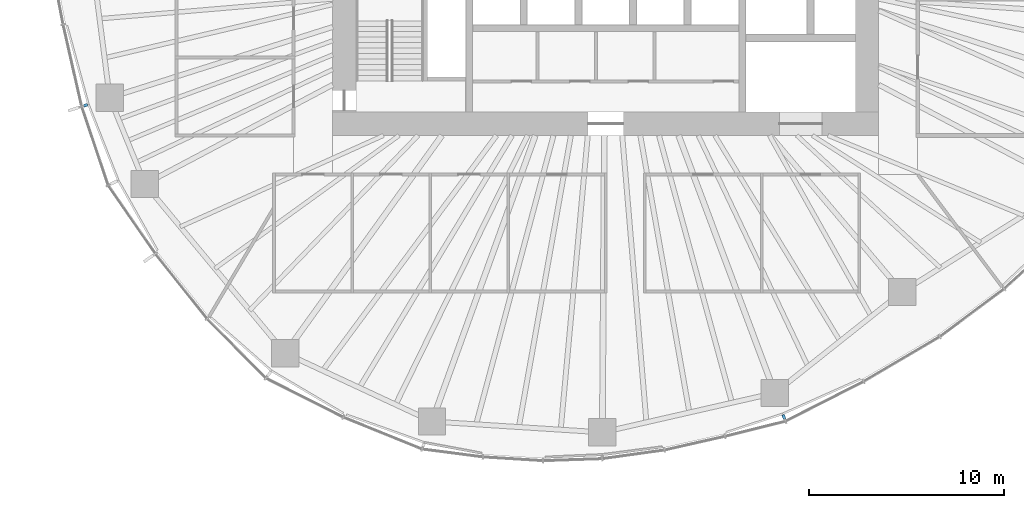
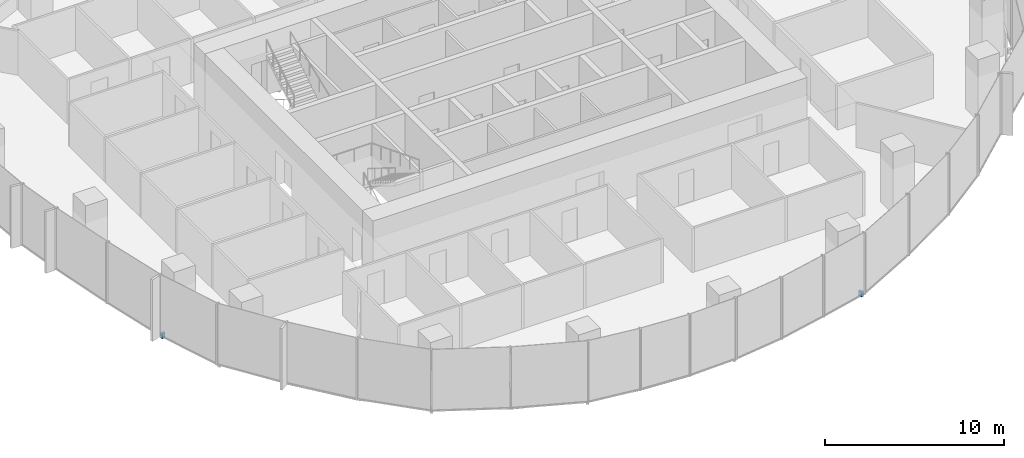
# One storey, part 13 of 18: 2 discrete accessories.
"""IFC4 building model written with IfcOpenShell, lengths in metres."""

from ifc_helpers import new_model, si_unit, direction, frame, origin, origin_2d, place, context, subcontext, project, spatial, rectangle, extrude, material, type_object, element, save


model = new_model("IFC4")

# Units and contexts
model_context = context("Model", 3, precision=1e-05, world=origin(), true_north=direction((0.0, 1.0)))
body_context = subcontext(model_context, "Body", "Model", "MODEL_VIEW")
ifc_project = project(units=[si_unit("LENGTHUNIT", "METRE"), si_unit("AREAUNIT", "SQUARE_METRE"), si_unit("VOLUMEUNIT", "CUBIC_METRE"), si_unit("PLANEANGLEUNIT", "RADIAN"), si_unit("MASSUNIT", "GRAM", prefix="KILO")], contexts=[model_context])

# Site, building, storey
site_placement = place(None, origin())
site = spatial("IfcSite", under=ifc_project, at=site_placement, CompositionType="ELEMENT")
building_placement = place(site_placement, origin())
building = spatial("IfcBuilding", under=site, at=building_placement, Name="Ghaith Harvest Tower", CompositionType="ELEMENT")
storey_placement = place(building_placement, frame((0.0, 0.0, 172.199951171875)))
storey = spatial("IfcBuildingStorey", under=building, at=storey_placement, Name="L37", CompositionType="ELEMENT", Elevation=172.199951171875)

# Discrete accessories
ifc_material_1 = material(Name="Stainless steel grade 1.4401", Category="steel")
discrete_accessory_type_1 = type_object("IfcDiscreteAccessoryType", Name="CURTAIN WALL BRACKET 205", PredefinedType="BRACKET", material=ifc_material_1)
discrete_accessory_1_placement = place(storey_placement, frame((-26.673095703125, -8.453125, -0.25), z_axis=(0.0, 0.0, 1.0), x_axis=(-0.953273219416, -0.302109531701, 0.0)))
element("IfcDiscreteAccessory", 1, at=discrete_accessory_1_placement, inside=storey, type_object=discrete_accessory_type_1, Name="CW-L bracket 1 bay 12 L37", PredefinedType="BRACKET", context=body_context, shape_type="SweptSolid", body=[
    extrude(rectangle(XDim=0.205078125, YDim=0.14990234375, at=origin_2d()), origin(), (0.0, 0.0, 1.0), 0.35009765625),
])
ifc_material_2 = material(Name="Stainless steel grade 1.4401", Category="steel")
discrete_accessory_type_2 = type_object("IfcDiscreteAccessoryType", Name="CURTAIN WALL BRACKET 245", PredefinedType="BRACKET", material=ifc_material_2)
discrete_accessory_2_placement = place(storey_placement, frame((9.135498046875, -24.436767578125, -0.25), z_axis=(0.0, 0.0, 1.0), x_axis=(0.35016769691, -0.93668702566, 0.0)))
element("IfcDiscreteAccessory", 2, at=discrete_accessory_2_placement, inside=storey, type_object=discrete_accessory_type_2, Name="CW-L bracket 1 bay 17 L37", PredefinedType="BRACKET", context=body_context, shape_type="SweptSolid", body=[
    extrude(rectangle(XDim=0.2451171875, YDim=0.14990234375, at=origin_2d()), origin(), (0.0, 0.0, 1.0), 0.35009765625),
])

save(model, "model.ifc")
